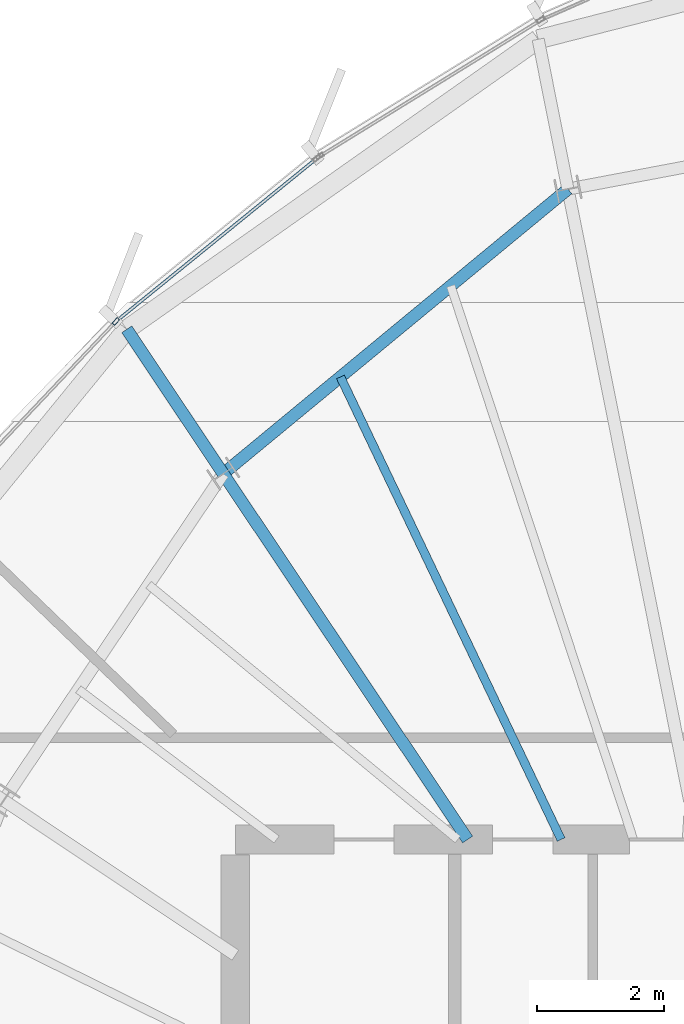
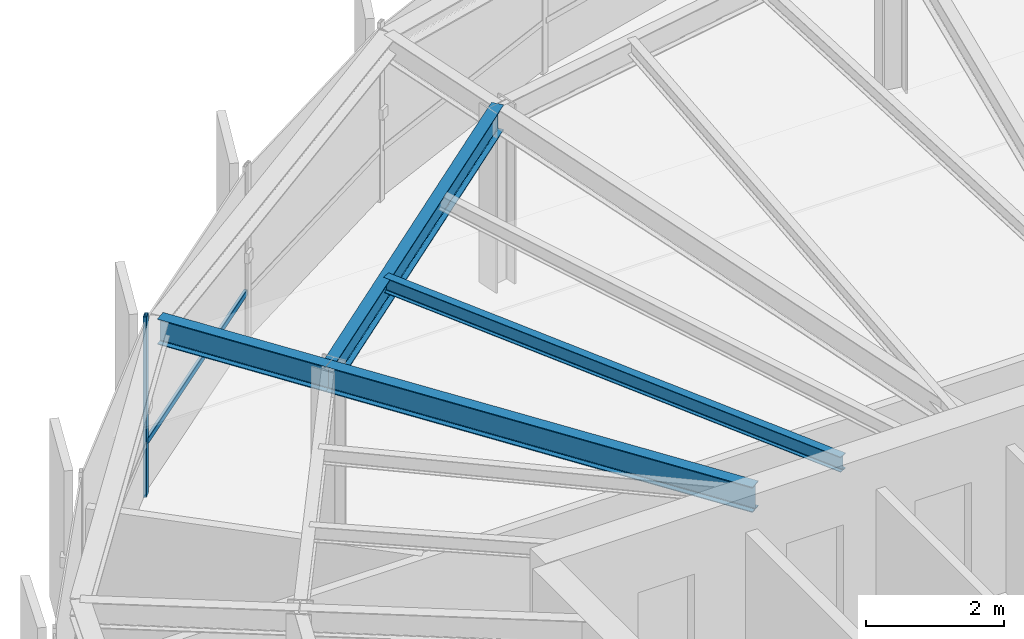
# One storey, part 17 of 31: 4 beams, 2 members, 1 element without a shape of its own.
"""IFC4 building model written with IfcOpenShell, lengths in metres."""

from ifc_helpers import new_model, si_unit, direction, frame, origin, origin_2d, place, context, subcontext, project, spatial, hollow_rectangle, i_section, extrude, source, transform, mapped, material, layer, layer_set, material_profile, profile_set, type_object, element, aggregate, save


model = new_model("IFC4")

# Units and contexts
model_context = context("Model", 3, precision=1e-05, world=origin(), true_north=direction((0.0, 1.0)))
body_context = subcontext(model_context, "Body", "Model", "MODEL_VIEW")
ifc_project = project(units=[si_unit("LENGTHUNIT", "METRE"), si_unit("AREAUNIT", "SQUARE_METRE"), si_unit("VOLUMEUNIT", "CUBIC_METRE"), si_unit("PLANEANGLEUNIT", "RADIAN"), si_unit("MASSUNIT", "GRAM", prefix="KILO"), si_unit("THERMODYNAMICTEMPERATUREUNIT", "KELVIN")], contexts=[model_context])

# Site, building, storey
site_placement = place(None, origin())
site = spatial("IfcSite", under=ifc_project, at=site_placement, CompositionType="ELEMENT")
building_placement = place(site_placement, origin())
building = spatial("IfcBuilding", under=site, at=building_placement, Name="Kethvar Cultural Tower", CompositionType="ELEMENT")
storey_placement = place(building_placement, frame((0.0, 0.0, 269.800048828125)))
storey = spatial("IfcBuildingStorey", under=building, at=storey_placement, Name="L71", CompositionType="ELEMENT", Elevation=269.800048828125)

# Beams
ifc_material_1 = material(Name="Steel S355J2", Category="steel")
ifc_material_profile_1 = material_profile(ifc_material_1, i_section(OverallWidth=0.18994140625, OverallDepth=0.449951171875, WebThickness=0.009521484375, FlangeThickness=0.0146484375, FilletRadius=0.02099609375, at=origin_2d()), Name="Steel S355J2 — IPE450")
ifc_profile_set_1 = profile_set([ifc_material_profile_1], Name="Steel S355J2 — IPE450")
beam_type_1 = type_object("IfcBeamType", Name="BM-IPE450", PredefinedType="BEAM", material=ifc_profile_set_1)
shared_shape_1 = source(origin(), body_context, "Body", "SweptSolid", [
    extrude(i_section(OverallWidth=0.18994140625, OverallDepth=0.449951171875, WebThickness=0.009521484375, FlangeThickness=0.0146484375, FilletRadius=0.02099609375, at=origin_2d()), origin(), (0.0, 0.0, 1.0), 6.921630859375),
])
beam_1_placement = place(storey_placement, frame((41.655029296875, 35.5, 2.98291015625), z_axis=(-0.555570841874, 0.831469205479, 0.0), x_axis=(-0.831469205479, -0.555570841874, 0.0)))
element("IfcBeam", 1, at=beam_1_placement, inside=storey, type_object=beam_type_1, Name="L71 Primary Radial Beam RB-06", PredefinedType="BEAM", context=body_context, shape_type="MappedRepresentation", body=[
    mapped(shared_shape_1, transform((0.0, 0.0, 0.0), scale=1.0)),
])
shared_shape_2 = source(origin(), body_context, "Body", "SweptSolid", [
    extrude(i_section(OverallWidth=0.18994140625, OverallDepth=0.449951171875, WebThickness=0.009521484375, FlangeThickness=0.0146484375, FilletRadius=0.02099609375, at=origin_2d()), origin(), (0.0, 0.0, 1.0), 7.03271484375),
])
beam_2_placement = place(storey_placement, frame((43.23291015625, 45.732421875, 2.98291015625), z_axis=(-0.771161072103, -0.636640087391, 0.0), x_axis=(0.636640087391, -0.771161072103, 0.0)))
element("IfcBeam", 2, at=beam_2_placement, inside=storey, type_object=beam_type_1, Name="L71 Column Ring Tie Beam CR-05", PredefinedType="BEAM", context=body_context, shape_type="MappedRepresentation", body=[
    mapped(shared_shape_2, transform((0.0, 0.0, 0.0), scale=1.0)),
])
ifc_material_profile_2 = material_profile(ifc_material_1, i_section(OverallWidth=0.135009765625, OverallDepth=0.27001953125, WebThickness=0.006591796875, FlangeThickness=0.01025390625, FilletRadius=0.014892578125, at=origin_2d()), Name="Steel S355J2 — IPE270")
ifc_profile_set_2 = profile_set([ifc_material_profile_2], Name="Steel S355J2 — IPE270")
beam_type_2 = type_object("IfcBeamType", Name="BM-J270", PredefinedType="JOIST", material=ifc_profile_set_2)
shared_shape_3 = source(origin(), body_context, "Body", "SweptSolid", [
    extrude(i_section(OverallWidth=0.135009765625, OverallDepth=0.27001953125, WebThickness=0.006591796875, FlangeThickness=0.01025390625, FilletRadius=0.014892578125, at=origin_2d()), origin(), (0.0, 0.0, 1.0), 8.063232421875),
])
beam_3_placement = place(storey_placement, frame((43.1259765625, 35.5, 3.072998046875), z_axis=(-0.430642151588, 0.902522762746, 0.0), x_axis=(-0.902522762746, -0.430642151588, 0.0)))
element("IfcBeam", 3, at=beam_3_placement, inside=storey, type_object=beam_type_2, Name="L71 Composite Floor Joist J-05B", PredefinedType="JOIST", context=body_context, shape_type="MappedRepresentation", body=[
    mapped(shared_shape_3, transform((0.0, 0.0, 0.0), scale=1.0)),
])
shared_shape_4 = source(origin(), body_context, "Body", "SweptSolid", [
    extrude(i_section(OverallWidth=0.18994140625, OverallDepth=0.449951171875, WebThickness=0.009521484375, FlangeThickness=0.0146484375, FilletRadius=0.02099609375, at=origin_2d()), origin(), (0.0, 0.0, 1.0), 2.73046875),
])
beam_4_placement = place(storey_placement, frame((37.8095703125, 41.255126953125, 2.98291015625), z_axis=(-0.555607744288, 0.831444546851, 0.0), x_axis=(-0.831444546851, -0.555607744288, 0.0)))
element("IfcBeam", 4, at=beam_4_placement, inside=storey, type_object=beam_type_1, Name="L71 Perimeter Cantilever Beam RC-06", PredefinedType="BEAM", context=body_context, shape_type="MappedRepresentation", body=[
    mapped(shared_shape_4, transform((0.0, 0.0, 0.0), scale=1.0)),
])

# Curtain wall, members
ifc_material_2 = material(Name="Aluminium 6063-T6", Category="aluminium")
ifc_layer = layer(ifc_material_2, 0.179931640625, Name="Aluminium 6063-T6", Category="aluminium")
ifc_layer_set = layer_set([ifc_layer], Name="Aluminium 6063-T6 (180 mm)")
curtain_wall_type = type_object("IfcCurtainWallType", Name="CW-SYS-05-Z56", PredefinedType="NOTDEFINED", material=ifc_layer_set)
curtain_wall_placement = place(storey_placement, origin())
curtain_wall = element("IfcCurtainWall", 5, at=curtain_wall_placement, inside=storey, type_object=curtain_wall_type, Name="L71 Curtain Wall Run 02", PredefinedType="NOTDEFINED")
ifc_material_profile_3 = material_profile(ifc_material_2, hollow_rectangle(XDim=0.054931640625, YDim=0.1201171875, WallThickness=0.00390625, at=origin_2d()), Name="Aluminium 6063-T6 — RHS120x55x4")
ifc_profile_set_3 = profile_set([ifc_material_profile_3], Name="Aluminium 6063-T6 — RHS120x55x4")
member_type_1 = type_object("IfcMemberType", Name="CW-SYS-05-Z56-MUL", PredefinedType="MULLION", material=ifc_profile_set_3)
shared_shape_5 = source(origin(), body_context, "Body", "SweptSolid", [
    extrude(hollow_rectangle(XDim=0.054931640625, YDim=0.1201171875, WallThickness=0.00390625, at=origin_2d()), origin(), (0.0, 0.0, 1.0), 3.2099609375),
])
member_1_placement = place(storey_placement, frame((36.12060546875, 43.6494140625, 0.0), z_axis=(0.0, 0.0, 1.0), x_axis=(0.726394766984, -0.68727770406, 0.0)))
member_1 = element("IfcMember", 6, at=member_1_placement, type_object=member_type_1, Name="CW-L71-R02 Mullion 2", PredefinedType="MULLION", context=body_context, shape_type="MappedRepresentation", body=[
    mapped(shared_shape_5, transform((0.0, 0.0, 0.0), scale=1.0)),
])
ifc_material_profile_4 = material_profile(ifc_material_2, hollow_rectangle(XDim=0.050048828125, YDim=0.10009765625, WallThickness=0.00390625, at=origin_2d()), Name="Aluminium 6063-T6 — RHS100x50x4")
ifc_profile_set_4 = profile_set([ifc_material_profile_4], Name="Aluminium 6063-T6 — RHS100x50x4")
member_type_2 = type_object("IfcMemberType", Name="CW-SYS-05-Z56-TRN", PredefinedType="USERDEFINED", material=ifc_profile_set_4)
shared_shape_6 = source(origin(), body_context, "Body", "SweptSolid", [
    extrude(hollow_rectangle(XDim=0.050048828125, YDim=0.10009765625, WallThickness=0.00390625, at=origin_2d()), origin(), (0.0, 0.0, 1.0), 4.04443359375),
])
member_2_placement = place(storey_placement, frame((39.281005859375, 46.215576171875, 0.949951171875), z_axis=(-0.776176776162, -0.63051535441, 0.0), x_axis=(0.63051535441, -0.776176776162, 0.0)))
member_2 = element("IfcMember", 7, at=member_2_placement, type_object=member_type_2, Name="CW-L71-R02 Transom 1", ObjectType="TRANSOM", PredefinedType="USERDEFINED", context=body_context, shape_type="MappedRepresentation", body=[
    mapped(shared_shape_6, transform((0.0, 0.0, 0.0), scale=1.0)),
])
aggregate(curtain_wall, [member_1, member_2])

save(model, "model.ifc")
